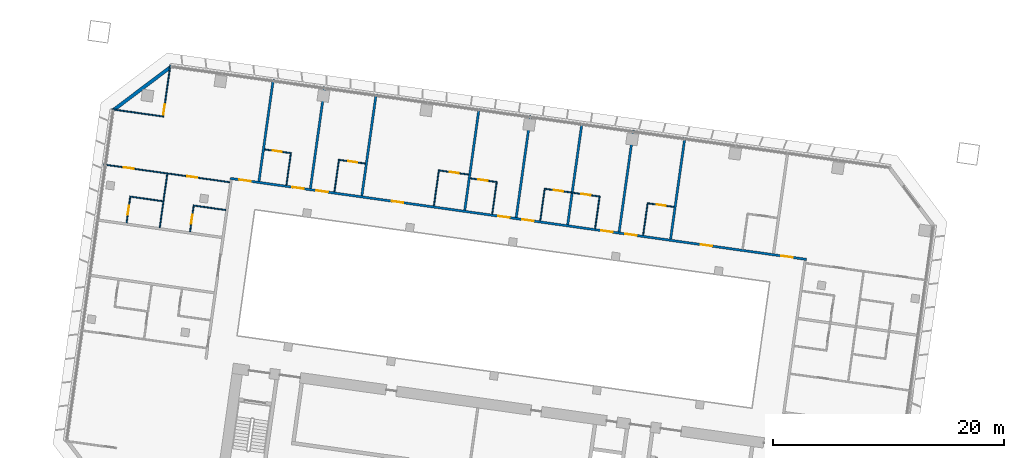
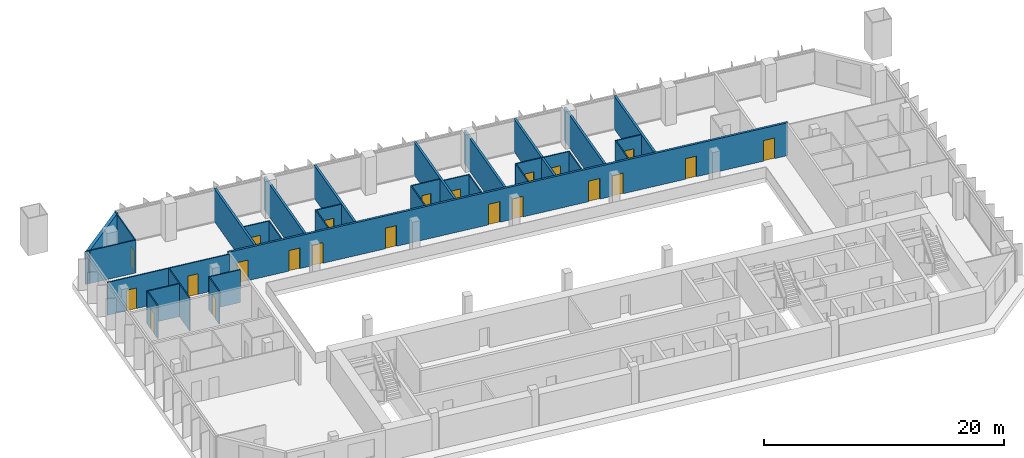
# One storey, part 16 of 24: 31 walls, 22 doors, 22 openings.
"""IFC4 building model written with IfcOpenShell, lengths in metres."""

from ifc_helpers import new_model, si_unit, direction, frame, frame_2d, origin, place, context, subcontext, project, spatial, rectangle, extrude, material, layer, layer_set, type_object, element, fill, save


model = new_model("IFC4")

# Units and contexts
model_context = context("Model", 3, precision=1e-05, world=origin(), true_north=direction((0.0, 1.0)))
body_context = subcontext(model_context, "Body", "Model", "MODEL_VIEW")
ifc_project = project(units=[si_unit("LENGTHUNIT", "METRE"), si_unit("AREAUNIT", "SQUARE_METRE"), si_unit("VOLUMEUNIT", "CUBIC_METRE"), si_unit("PLANEANGLEUNIT", "RADIAN"), si_unit("MASSUNIT", "GRAM", prefix="KILO")], contexts=[model_context])

# Site, building, storey
site_placement = place(None, origin())
site = spatial("IfcSite", under=ifc_project, at=site_placement, CompositionType="ELEMENT")
building_placement = place(site_placement, origin())
building = spatial("IfcBuilding", under=site, at=building_placement, Name="Mirante Cascada Hotel Towers", CompositionType="ELEMENT")
storey_placement = place(building_placement, frame((0.0, 0.0, 50.9)))
storey = spatial("IfcBuildingStorey", under=building, at=storey_placement, Name="L09", CompositionType="ELEMENT", Elevation=50.9)

# Wall, openings, doors
ifc_material_1 = material(Name="Fire-rated plasterboard on metal studs")
ifc_layer_1 = layer(ifc_material_1, 0.2)
ifc_layer_set_1 = layer_set([ifc_layer_1], Name="Compartment wall 200 EI 120")
wall_type_1 = type_object("IfcWallType", Name="Compartment wall 200 EI 120", PredefinedType="PARTITIONING", material=ifc_layer_set_1)
wall_1_placement = place(storey_placement, frame((-89.0146, 16.3922, 0.0), z_axis=(0.0, 0.0, 1.0), x_axis=(0.9902681, -0.1391727, 0.0)))
wall_1 = element("IfcWall", 1, at=wall_1_placement, inside=storey, type_object=wall_type_1, Name="Wall 1-L09-19", PredefinedType="PARTITIONING", context=body_context, shape_type="SweptSolid", body=[
    extrude(rectangle(XDim=50.4, YDim=0.2, at=frame_2d((25.2, 0.0))), origin(), (0.0, 0.0, 1.0), 3.35),
])
opening_1_placement = place(wall_1_placement, frame((48.2, 0.0, 0.0)))
opening_1 = element("IfcOpeningElement", 2, at=opening_1_placement, cuts=wall_1, Name="Opening D1-L09-12", PredefinedType="OPENING", context=body_context, shape_type="SweptSolid", body=[
    extrude(rectangle(XDim=1.0, YDim=2.1, at=frame_2d((0.5, 1.05))), frame((0.0, 0.1, 0.0), z_axis=(0.0, -1.0, 0.0), x_axis=(1.0, 0.0, 0.0)), (0.0, 0.0, 1.0), 0.2),
])
opening_2_placement = place(wall_1_placement, frame((41.15, 0.0, 0.0)))
opening_2 = element("IfcOpeningElement", 3, at=opening_2_placement, cuts=wall_1, Name="Opening D1-L09-13", PredefinedType="OPENING", context=body_context, shape_type="SweptSolid", body=[
    extrude(rectangle(XDim=1.0, YDim=2.1, at=frame_2d((0.5, 1.05))), frame((0.0, 0.1, 0.0), z_axis=(0.0, -1.0, 0.0), x_axis=(1.0, 0.0, 0.0)), (0.0, 0.0, 1.0), 0.2),
])
opening_3_placement = place(wall_1_placement, frame((34.55, 0.0, 0.0)))
opening_3 = element("IfcOpeningElement", 4, at=opening_3_placement, cuts=wall_1, Name="Opening D1-L09-14", PredefinedType="OPENING", context=body_context, shape_type="SweptSolid", body=[
    extrude(rectangle(XDim=1.0, YDim=2.1, at=frame_2d((0.5, 1.05))), frame((0.0, 0.1, 0.0), z_axis=(0.0, -1.0, 0.0), x_axis=(1.0, 0.0, 0.0)), (0.0, 0.0, 1.0), 0.2),
])
opening_4_placement = place(wall_1_placement, frame((32.45, 0.0, 0.0)))
opening_4 = element("IfcOpeningElement", 5, at=opening_4_placement, cuts=wall_1, Name="Opening D1-L09-15", PredefinedType="OPENING", context=body_context, shape_type="SweptSolid", body=[
    extrude(rectangle(XDim=1.0, YDim=2.1, at=frame_2d((0.5, 1.05))), frame((0.0, 0.1, 0.0), z_axis=(0.0, -1.0, 0.0), x_axis=(1.0, 0.0, 0.0)), (0.0, 0.0, 1.0), 0.2),
])
opening_5_placement = place(wall_1_placement, frame((25.55, 0.0, 0.0)))
opening_5 = element("IfcOpeningElement", 6, at=opening_5_placement, cuts=wall_1, Name="Opening D1-L09-16", PredefinedType="OPENING", context=body_context, shape_type="SweptSolid", body=[
    extrude(rectangle(XDim=1.0, YDim=2.1, at=frame_2d((0.5, 1.05))), frame((0.0, 0.1, 0.0), z_axis=(0.0, -1.0, 0.0), x_axis=(1.0, 0.0, 0.0)), (0.0, 0.0, 1.0), 0.2),
])
opening_6_placement = place(wall_1_placement, frame((23.45, 0.0, 0.0)))
opening_6 = element("IfcOpeningElement", 7, at=opening_6_placement, cuts=wall_1, Name="Opening D1-L09-17", PredefinedType="OPENING", context=body_context, shape_type="SweptSolid", body=[
    extrude(rectangle(XDim=1.0, YDim=2.1, at=frame_2d((0.5, 1.05))), frame((0.0, 0.1, 0.0), z_axis=(0.0, -1.0, 0.0), x_axis=(1.0, 0.0, 0.0)), (0.0, 0.0, 1.0), 0.2),
])
opening_7_placement = place(wall_1_placement, frame((14.15, 0.0, 0.0)))
opening_7 = element("IfcOpeningElement", 8, at=opening_7_placement, cuts=wall_1, Name="Opening D1-L09-18", PredefinedType="OPENING", context=body_context, shape_type="SweptSolid", body=[
    extrude(rectangle(XDim=1.0, YDim=2.1, at=frame_2d((0.5, 1.05))), frame((0.0, 0.1, 0.0), z_axis=(0.0, -1.0, 0.0), x_axis=(1.0, 0.0, 0.0)), (0.0, 0.0, 1.0), 0.2),
])
opening_8_placement = place(wall_1_placement, frame((7.55, 0.0, 0.0)))
opening_8 = element("IfcOpeningElement", 9, at=opening_8_placement, cuts=wall_1, Name="Opening D1-L09-19", PredefinedType="OPENING", context=body_context, shape_type="SweptSolid", body=[
    extrude(rectangle(XDim=1.0, YDim=2.1, at=frame_2d((0.5, 1.05))), frame((0.0, 0.1, 0.0), z_axis=(0.0, -1.0, 0.0), x_axis=(1.0, 0.0, 0.0)), (0.0, 0.0, 1.0), 0.2),
])
opening_9_placement = place(wall_1_placement, frame((5.45, 0.0, 0.0)))
opening_9 = element("IfcOpeningElement", 10, at=opening_9_placement, cuts=wall_1, Name="Opening D1-L09-20", PredefinedType="OPENING", context=body_context, shape_type="SweptSolid", body=[
    extrude(rectangle(XDim=1.0, YDim=2.1, at=frame_2d((0.5, 1.05))), frame((0.0, 0.1, 0.0), z_axis=(0.0, -1.0, 0.0), x_axis=(1.0, 0.0, 0.0)), (0.0, 0.0, 1.0), 0.2),
])
opening_10_placement = place(wall_1_placement, frame((0.8, 0.0, 0.0)))
opening_10 = element("IfcOpeningElement", 11, at=opening_10_placement, cuts=wall_1, Name="Opening D1-L09-21", PredefinedType="OPENING", context=body_context, shape_type="SweptSolid", body=[
    extrude(rectangle(XDim=1.0, YDim=2.1, at=frame_2d((0.5, 1.05))), frame((0.0, 0.1, 0.0), z_axis=(0.0, -1.0, 0.0), x_axis=(1.0, 0.0, 0.0)), (0.0, 0.0, 1.0), 0.2),
])
ifc_material_2 = material(Name="Fire-rated timber door leaf", Category="wood")
door_type_1 = type_object("IfcDoorType", Name="Entrance door DG1 1000x2100 EI 60", OperationType="SINGLE_SWING_LEFT", PredefinedType="DOOR", material=ifc_material_2)
door_1_placement = place(opening_1_placement, origin())
door_1 = element("IfcDoor", 12, at=door_1_placement, inside=storey, type_object=door_type_1, Name="Door D1-L09-12", OperationType="SINGLE_SWING_LEFT", OverallHeight=2.1, OverallWidth=1.0, PredefinedType="DOOR", context=body_context, shape_type="SweptSolid", body=[
    extrude(rectangle(XDim=1.0, YDim=2.1, at=frame_2d((0.5, 1.05))), frame((0.0, 0.025, 0.0), z_axis=(0.0, -1.0, 0.0), x_axis=(1.0, 0.0, 0.0)), (0.0, 0.0, 1.0), 0.05),
])
fill(opening_1, door_1)
door_2_placement = place(opening_2_placement, origin())
door_2 = element("IfcDoor", 13, at=door_2_placement, inside=storey, type_object=door_type_1, Name="Door D1-L09-13", OperationType="SINGLE_SWING_LEFT", OverallHeight=2.1, OverallWidth=1.0, PredefinedType="DOOR", context=body_context, shape_type="SweptSolid", body=[
    extrude(rectangle(XDim=1.0, YDim=2.1, at=frame_2d((0.5, 1.05))), frame((0.0, 0.025, 0.0), z_axis=(0.0, -1.0, 0.0), x_axis=(1.0, 0.0, 0.0)), (0.0, 0.0, 1.0), 0.05),
])
fill(opening_2, door_2)
door_3_placement = place(opening_3_placement, origin())
door_3 = element("IfcDoor", 14, at=door_3_placement, inside=storey, type_object=door_type_1, Name="Door D1-L09-14", OperationType="SINGLE_SWING_LEFT", OverallHeight=2.1, OverallWidth=1.0, PredefinedType="DOOR", context=body_context, shape_type="SweptSolid", body=[
    extrude(rectangle(XDim=1.0, YDim=2.1, at=frame_2d((0.5, 1.05))), frame((0.0, 0.025, 0.0), z_axis=(0.0, -1.0, 0.0), x_axis=(1.0, 0.0, 0.0)), (0.0, 0.0, 1.0), 0.05),
])
fill(opening_3, door_3)
door_4_placement = place(opening_4_placement, origin())
door_4 = element("IfcDoor", 15, at=door_4_placement, inside=storey, type_object=door_type_1, Name="Door D1-L09-15", OperationType="SINGLE_SWING_LEFT", OverallHeight=2.1, OverallWidth=1.0, PredefinedType="DOOR", context=body_context, shape_type="SweptSolid", body=[
    extrude(rectangle(XDim=1.0, YDim=2.1, at=frame_2d((0.5, 1.05))), frame((0.0, 0.025, 0.0), z_axis=(0.0, -1.0, 0.0), x_axis=(1.0, 0.0, 0.0)), (0.0, 0.0, 1.0), 0.05),
])
fill(opening_4, door_4)
door_5_placement = place(opening_5_placement, origin())
door_5 = element("IfcDoor", 16, at=door_5_placement, inside=storey, type_object=door_type_1, Name="Door D1-L09-16", OperationType="SINGLE_SWING_LEFT", OverallHeight=2.1, OverallWidth=1.0, PredefinedType="DOOR", context=body_context, shape_type="SweptSolid", body=[
    extrude(rectangle(XDim=1.0, YDim=2.1, at=frame_2d((0.5, 1.05))), frame((0.0, 0.025, 0.0), z_axis=(0.0, -1.0, 0.0), x_axis=(1.0, 0.0, 0.0)), (0.0, 0.0, 1.0), 0.05),
])
fill(opening_5, door_5)
door_6_placement = place(opening_6_placement, origin())
door_6 = element("IfcDoor", 17, at=door_6_placement, inside=storey, type_object=door_type_1, Name="Door D1-L09-17", OperationType="SINGLE_SWING_LEFT", OverallHeight=2.1, OverallWidth=1.0, PredefinedType="DOOR", context=body_context, shape_type="SweptSolid", body=[
    extrude(rectangle(XDim=1.0, YDim=2.1, at=frame_2d((0.5, 1.05))), frame((0.0, 0.025, 0.0), z_axis=(0.0, -1.0, 0.0), x_axis=(1.0, 0.0, 0.0)), (0.0, 0.0, 1.0), 0.05),
])
fill(opening_6, door_6)
door_7_placement = place(opening_7_placement, origin())
door_7 = element("IfcDoor", 18, at=door_7_placement, inside=storey, type_object=door_type_1, Name="Door D1-L09-18", OperationType="SINGLE_SWING_LEFT", OverallHeight=2.1, OverallWidth=1.0, PredefinedType="DOOR", context=body_context, shape_type="SweptSolid", body=[
    extrude(rectangle(XDim=1.0, YDim=2.1, at=frame_2d((0.5, 1.05))), frame((0.0, 0.025, 0.0), z_axis=(0.0, -1.0, 0.0), x_axis=(1.0, 0.0, 0.0)), (0.0, 0.0, 1.0), 0.05),
])
fill(opening_7, door_7)
door_8_placement = place(opening_8_placement, origin())
door_8 = element("IfcDoor", 19, at=door_8_placement, inside=storey, type_object=door_type_1, Name="Door D1-L09-19", OperationType="SINGLE_SWING_LEFT", OverallHeight=2.1, OverallWidth=1.0, PredefinedType="DOOR", context=body_context, shape_type="SweptSolid", body=[
    extrude(rectangle(XDim=1.0, YDim=2.1, at=frame_2d((0.5, 1.05))), frame((0.0, 0.025, 0.0), z_axis=(0.0, -1.0, 0.0), x_axis=(1.0, 0.0, 0.0)), (0.0, 0.0, 1.0), 0.05),
])
fill(opening_8, door_8)
door_9_placement = place(opening_9_placement, origin())
door_9 = element("IfcDoor", 20, at=door_9_placement, inside=storey, type_object=door_type_1, Name="Door D1-L09-20", OperationType="SINGLE_SWING_LEFT", OverallHeight=2.1, OverallWidth=1.0, PredefinedType="DOOR", context=body_context, shape_type="SweptSolid", body=[
    extrude(rectangle(XDim=1.0, YDim=2.1, at=frame_2d((0.5, 1.05))), frame((0.0, 0.025, 0.0), z_axis=(0.0, -1.0, 0.0), x_axis=(1.0, 0.0, 0.0)), (0.0, 0.0, 1.0), 0.05),
])
fill(opening_9, door_9)
door_10_placement = place(opening_10_placement, origin())
door_10 = element("IfcDoor", 21, at=door_10_placement, inside=storey, type_object=door_type_1, Name="Door D1-L09-21", OperationType="SINGLE_SWING_LEFT", OverallHeight=2.1, OverallWidth=1.0, PredefinedType="DOOR", context=body_context, shape_type="SweptSolid", body=[
    extrude(rectangle(XDim=1.0, YDim=2.1, at=frame_2d((0.5, 1.05))), frame((0.0, 0.025, 0.0), z_axis=(0.0, -1.0, 0.0), x_axis=(1.0, 0.0, 0.0)), (0.0, 0.0, 1.0), 0.05),
])
fill(opening_10, door_10)

# Walls
for number, where, z_axis, x_axis, name in (
    (22, (-49.6367, 19.9465, 0.0), (0.0, 0.0, 1.0), (-0.1391794, -0.9902672, 0.0), "Wall 1-L09-35"),
    (23, (-54.0929, 20.5728, 0.0), (0.0, 0.0, 1.0), (-0.1391794, -0.9902672, 0.0), "Wall 1-L09-37"),
):
    element("IfcWall", number, at=place(storey_placement, frame(where, z_axis=z_axis, x_axis=x_axis)), inside=storey, type_object=wall_type_1, Name=name, PredefinedType="PARTITIONING", context=body_context, shape_type="SweptSolid", body=[
        extrude(rectangle(XDim=8.9, YDim=0.2, at=frame_2d((4.45, 0.0))), origin(), (0.0, 0.0, 1.0), 3.35),
    ])
wall_2_placement = place(storey_placement, frame((-58.5492, 21.199, 0.0), z_axis=(0.0, 0.0, 1.0), x_axis=(-0.13917, -0.9902685, 0.0)))
element("IfcWall", 24, at=wall_2_placement, inside=storey, type_object=wall_type_1, Name="Wall 1-L09-39", PredefinedType="PARTITIONING", context=body_context, shape_type="SweptSolid", body=[
    extrude(rectangle(XDim=8.8999, YDim=0.2, at=frame_2d((4.45, 0.0))), origin(), (0.0, 0.0, 1.0), 3.35),
])
for number, where, z_axis, x_axis, name in (
    (25, (-63.0054, 21.8253, 0.0), (0.0, 0.0, 1.0), (-0.1391684, -0.9902687, 0.0), "Wall 1-L09-41"),
    (26, (-67.4616, 22.4516, 0.0), (0.0, 0.0, 1.0), (-0.1391684, -0.9902687, 0.0), "Wall 1-L09-43"),
    (27, (-76.374, 23.7042, 0.0), (0.0, 0.0, 1.0), (-0.1391684, -0.9902687, 0.0), "Wall 1-L09-45"),
):
    element("IfcWall", number, at=place(storey_placement, frame(where, z_axis=z_axis, x_axis=x_axis)), inside=storey, type_object=wall_type_1, Name=name, PredefinedType="PARTITIONING", context=body_context, shape_type="SweptSolid", body=[
        extrude(rectangle(XDim=8.9, YDim=0.2, at=frame_2d((4.45, 0.0))), origin(), (0.0, 0.0, 1.0), 3.35),
    ])
wall_3_placement = place(storey_placement, frame((-80.8302, 24.3304, 0.0), z_axis=(0.0, 0.0, 1.0), x_axis=(-0.13917, -0.9902685, 0.0)))
element("IfcWall", 28, at=wall_3_placement, inside=storey, type_object=wall_type_1, Name="Wall 1-L09-47", PredefinedType="PARTITIONING", context=body_context, shape_type="SweptSolid", body=[
    extrude(rectangle(XDim=8.8999, YDim=0.2, at=frame_2d((4.45, 0.0))), origin(), (0.0, 0.0, 1.0), 3.35),
])
wall_4_placement = place(storey_placement, frame((-85.2864, 24.9567, 0.0), z_axis=(0.0, 0.0, 1.0), x_axis=(-0.1391684, -0.9902687, 0.0)))
element("IfcWall", 29, at=wall_4_placement, inside=storey, type_object=wall_type_1, Name="Wall 1-L09-49", PredefinedType="PARTITIONING", context=body_context, shape_type="SweptSolid", body=[
    extrude(rectangle(XDim=8.9, YDim=0.2, at=frame_2d((4.45, 0.0))), origin(), (0.0, 0.0, 1.0), 3.35),
])
ifc_material_3 = material(Name="Plasterboard on metal studs")
ifc_layer_2 = layer(ifc_material_3, 0.1)
ifc_layer_set_2 = layer_set([ifc_layer_2], Name="Partition 100")
wall_type_2 = type_object("IfcWallType", Name="Partition 100", PredefinedType="PARTITIONING", material=ifc_layer_set_2)
wall_5_placement = place(storey_placement, frame((-92.2219, 14.0491, 0.0), z_axis=(0.0, 0.0, 1.0), x_axis=(0.9902697, -0.1391613, 0.0)))
element("IfcWall", 30, at=wall_5_placement, inside=storey, type_object=wall_type_2, Name="Wall 1-L09-15", PredefinedType="PARTITIONING", context=body_context, shape_type="SweptSolid", body=[
    extrude(rectangle(XDim=2.8499, YDim=0.1, at=frame_2d((1.425, 0.0))), origin(), (0.0, 0.0, 1.0), 3.35),
])
wall_6_placement = place(storey_placement, frame((-94.8461, 14.4179, 0.0), z_axis=(0.0, 0.0, 1.0), x_axis=(-0.9902683, 0.1391714, 0.0)))
element("IfcWall", 31, at=wall_6_placement, inside=storey, type_object=wall_type_2, Name="Wall 1-L09-16", PredefinedType="PARTITIONING", context=body_context, shape_type="SweptSolid", body=[
    extrude(rectangle(XDim=2.9, YDim=0.1, at=frame_2d((1.45, 0.0))), origin(), (0.0, 0.0, 1.0), 3.35),
])

# Wall, openings, doors
wall_7_placement = place(storey_placement, frame((-89.061, 16.0622, 0.0), z_axis=(0.0, 0.0, 1.0), x_axis=(-0.9902682, 0.1391721, 0.0)))
wall_7 = element("IfcWall", 32, at=wall_7_placement, inside=storey, type_object=wall_type_2, Name="Wall 1-L09-18", PredefinedType="PARTITIONING", context=body_context, shape_type="SweptSolid", body=[
    extrude(rectangle(XDim=11.0001, YDim=0.1, at=frame_2d((5.5, 0.0))), origin(), (0.0, 0.0, 1.0), 3.35),
])
opening_11_placement = place(wall_7_placement, frame((2.825, 0.0, 0.0)))
opening_11 = element("IfcOpeningElement", 33, at=opening_11_placement, cuts=wall_7, Name="Opening D1-L09-10", PredefinedType="OPENING", context=body_context, shape_type="SweptSolid", body=[
    extrude(rectangle(XDim=0.9, YDim=2.1, at=frame_2d((0.45, 1.05))), frame((0.0, 0.05, 0.0), z_axis=(0.0, -1.0, 0.0), x_axis=(1.0, 0.0, 0.0)), (0.0, 0.0, 1.0), 0.1),
])
opening_12_placement = place(wall_7_placement, frame((8.375, 0.0, 0.0)))
opening_12 = element("IfcOpeningElement", 34, at=opening_12_placement, cuts=wall_7, Name="Opening D1-L09-11", PredefinedType="OPENING", context=body_context, shape_type="SweptSolid", body=[
    extrude(rectangle(XDim=0.9, YDim=2.1, at=frame_2d((0.45, 1.05))), frame((0.0, 0.05, 0.0), z_axis=(0.0, -1.0, 0.0), x_axis=(1.0, 0.0, 0.0)), (0.0, 0.0, 1.0), 0.1),
])
ifc_material_4 = material(Name="Timber door leaf", Category="wood")
door_type_2 = type_object("IfcDoorType", Name="Room door DG3 900x2100", OperationType="SINGLE_SWING_LEFT", PredefinedType="DOOR", material=ifc_material_4)
door_11_placement = place(opening_11_placement, frame((0.9, 0.0, 0.0), z_axis=(0.0, 0.0, 1.0), x_axis=(-1.0, 0.0, 0.0)))
door_11 = element("IfcDoor", 35, at=door_11_placement, inside=storey, type_object=door_type_2, Name="Door D1-L09-10", OperationType="SINGLE_SWING_RIGHT", OverallHeight=2.1, OverallWidth=0.9, PredefinedType="DOOR", context=body_context, shape_type="SweptSolid", body=[
    extrude(rectangle(XDim=0.9, YDim=2.1, at=frame_2d((0.45, 1.05))), frame((0.0, 0.025, 0.0), z_axis=(0.0, -1.0, 0.0), x_axis=(1.0, 0.0, 0.0)), (0.0, 0.0, 1.0), 0.05),
])
fill(opening_11, door_11)
door_12_placement = place(opening_12_placement, frame((0.9, 0.0, 0.0), z_axis=(0.0, 0.0, 1.0), x_axis=(-1.0, 0.0, 0.0)))
door_12 = element("IfcDoor", 36, at=door_12_placement, inside=storey, type_object=door_type_2, Name="Door D1-L09-11", OperationType="SINGLE_SWING_RIGHT", OverallHeight=2.1, OverallWidth=0.9, PredefinedType="DOOR", context=body_context, shape_type="SweptSolid", body=[
    extrude(rectangle(XDim=0.9, YDim=2.1, at=frame_2d((0.45, 1.05))), frame((0.0, 0.025, 0.0), z_axis=(0.0, -1.0, 0.0), x_axis=(1.0, 0.0, 0.0)), (0.0, 0.0, 1.0), 0.05),
])
fill(opening_12, door_12)

# Wall, opening, door
wall_8_placement = place(storey_placement, frame((-50.5847, 13.9198, 0.0), z_axis=(0.0, 0.0, 1.0), x_axis=(-0.9902705, 0.1391561, 0.0)))
wall_8 = element("IfcWall", 37, at=wall_8_placement, inside=storey, type_object=wall_type_2, Name="Wall 1-L09-20", PredefinedType="PARTITIONING", context=body_context, shape_type="SweptSolid", body=[
    extrude(rectangle(XDim=2.25, YDim=0.1, at=frame_2d((1.125, 0.0))), origin(), (0.0, 0.0, 1.0), 3.35),
])
opening_13_placement = place(wall_8_placement, frame((0.7, 0.0, 0.0)))
opening_13 = element("IfcOpeningElement", 38, at=opening_13_placement, cuts=wall_8, Name="Opening D1-L09-22", PredefinedType="OPENING", context=body_context, shape_type="SweptSolid", body=[
    extrude(rectangle(XDim=0.8, YDim=2.1, at=frame_2d((0.4, 1.05))), frame((0.0, 0.05, 0.0), z_axis=(0.0, -1.0, 0.0), x_axis=(1.0, 0.0, 0.0)), (0.0, 0.0, 1.0), 0.1),
])
ifc_material_5 = material(Name="Timber door leaf", Category="wood")
door_type_3 = type_object("IfcDoorType", Name="Bathroom door DG4 800x2100", OperationType="SINGLE_SWING_LEFT", PredefinedType="DOOR", material=ifc_material_5)
door_13_placement = place(opening_13_placement, frame((0.8, 0.0, 0.0), z_axis=(0.0, 0.0, 1.0), x_axis=(-1.0, 0.0, 0.0)))
door_13 = element("IfcDoor", 39, at=door_13_placement, inside=storey, type_object=door_type_3, Name="Door D1-L09-22", OperationType="SINGLE_SWING_RIGHT", OverallHeight=2.1, OverallWidth=0.8, PredefinedType="DOOR", context=body_context, shape_type="SweptSolid", body=[
    extrude(rectangle(XDim=0.8, YDim=2.1, at=frame_2d((0.4, 1.05))), frame((0.0, 0.025, 0.0), z_axis=(0.0, -1.0, 0.0), x_axis=(1.0, 0.0, 0.0)), (0.0, 0.0, 1.0), 0.05),
])
fill(opening_13, door_13)

# Wall, openings, doors
wall_9_placement = place(storey_placement, frame((-61.8243, 15.4994, 0.0), z_axis=(0.0, 0.0, 1.0), x_axis=(0.9902666, -0.1391838, 0.0)))
wall_9 = element("IfcWall", 40, at=wall_9_placement, inside=storey, type_object=wall_type_2, Name="Wall 1-L09-21", PredefinedType="PARTITIONING", context=body_context, shape_type="SweptSolid", body=[
    extrude(rectangle(XDim=4.9, YDim=0.1, at=frame_2d((2.45, 0.0))), origin(), (0.0, 0.0, 1.0), 3.35),
])
opening_14_placement = place(wall_9_placement, frame((3.25, 0.0, 0.0)))
opening_14 = element("IfcOpeningElement", 41, at=opening_14_placement, cuts=wall_9, Name="Opening D1-L09-23", PredefinedType="OPENING", context=body_context, shape_type="SweptSolid", body=[
    extrude(rectangle(XDim=0.8, YDim=2.1, at=frame_2d((0.4, 1.05))), frame((0.0, 0.05, 0.0), z_axis=(0.0, -1.0, 0.0), x_axis=(1.0, 0.0, 0.0)), (0.0, 0.0, 1.0), 0.1),
])
opening_15_placement = place(wall_9_placement, frame((0.85, 0.0, 0.0)))
opening_15 = element("IfcOpeningElement", 42, at=opening_15_placement, cuts=wall_9, Name="Opening D1-L09-24", PredefinedType="OPENING", context=body_context, shape_type="SweptSolid", body=[
    extrude(rectangle(XDim=0.8, YDim=2.1, at=frame_2d((0.4, 1.05))), frame((0.0, 0.05, 0.0), z_axis=(0.0, -1.0, 0.0), x_axis=(1.0, 0.0, 0.0)), (0.0, 0.0, 1.0), 0.1),
])
door_14_placement = place(opening_14_placement, origin())
door_14 = element("IfcDoor", 43, at=door_14_placement, inside=storey, type_object=door_type_3, Name="Door D1-L09-23", OperationType="SINGLE_SWING_LEFT", OverallHeight=2.1, OverallWidth=0.8, PredefinedType="DOOR", context=body_context, shape_type="SweptSolid", body=[
    extrude(rectangle(XDim=0.8, YDim=2.1, at=frame_2d((0.4, 1.05))), frame((0.0, 0.025, 0.0), z_axis=(0.0, -1.0, 0.0), x_axis=(1.0, 0.0, 0.0)), (0.0, 0.0, 1.0), 0.05),
])
fill(opening_14, door_14)
door_15_placement = place(opening_15_placement, origin())
door_15 = element("IfcDoor", 44, at=door_15_placement, inside=storey, type_object=door_type_3, Name="Door D1-L09-24", OperationType="SINGLE_SWING_LEFT", OverallHeight=2.1, OverallWidth=0.8, PredefinedType="DOOR", context=body_context, shape_type="SweptSolid", body=[
    extrude(rectangle(XDim=0.8, YDim=2.1, at=frame_2d((0.4, 1.05))), frame((0.0, 0.025, 0.0), z_axis=(0.0, -1.0, 0.0), x_axis=(1.0, 0.0, 0.0)), (0.0, 0.0, 1.0), 0.05),
])
fill(opening_15, door_15)

# Wall, opening, door
wall_10_placement = place(storey_placement, frame((-65.9834, 16.0839, 0.0), z_axis=(0.0, 0.0, 1.0), x_axis=(-0.9902643, 0.1391997, 0.0)))
wall_10 = element("IfcWall", 45, at=wall_10_placement, inside=storey, type_object=wall_type_2, Name="Wall 1-L09-22", PredefinedType="PARTITIONING", context=body_context, shape_type="SweptSolid", body=[
    extrude(rectangle(XDim=2.25, YDim=0.1, at=frame_2d((1.125, 0.0))), origin(), (0.0, 0.0, 1.0), 3.35),
])
opening_16_placement = place(wall_10_placement, frame((0.75, 0.0, 0.0)))
opening_16 = element("IfcOpeningElement", 46, at=opening_16_placement, cuts=wall_10, Name="Opening D1-L09-25", PredefinedType="OPENING", context=body_context, shape_type="SweptSolid", body=[
    extrude(rectangle(XDim=0.8, YDim=2.1, at=frame_2d((0.4, 1.05))), frame((0.0, 0.05, 0.0), z_axis=(0.0, -1.0, 0.0), x_axis=(1.0, 0.0, 0.0)), (0.0, 0.0, 1.0), 0.1),
])
door_16_placement = place(opening_16_placement, frame((0.8, 0.0, 0.0), z_axis=(0.0, 0.0, 1.0), x_axis=(-1.0, 0.0, 0.0)))
door_16 = element("IfcDoor", 47, at=door_16_placement, inside=storey, type_object=door_type_3, Name="Door D1-L09-25", OperationType="SINGLE_SWING_RIGHT", OverallHeight=2.1, OverallWidth=0.8, PredefinedType="DOOR", context=body_context, shape_type="SweptSolid", body=[
    extrude(rectangle(XDim=0.8, YDim=2.1, at=frame_2d((0.4, 1.05))), frame((0.0, 0.025, 0.0), z_axis=(0.0, -1.0, 0.0), x_axis=(1.0, 0.0, 0.0)), (0.0, 0.0, 1.0), 0.05),
])
fill(opening_16, door_16)

wall_11_placement = place(storey_placement, frame((-79.5501, 17.9906, 0.0), z_axis=(0.0, 0.0, 1.0), x_axis=(0.9902643, -0.1391997, 0.0)))
wall_11 = element("IfcWall", 48, at=wall_11_placement, inside=storey, type_object=wall_type_2, Name="Wall 1-L09-23", PredefinedType="PARTITIONING", context=body_context, shape_type="SweptSolid", body=[
    extrude(rectangle(XDim=2.25, YDim=0.1, at=frame_2d((1.125, 0.0))), origin(), (0.0, 0.0, 1.0), 3.35),
])
opening_17_placement = place(wall_11_placement, frame((0.75, 0.0, 0.0)))
opening_17 = element("IfcOpeningElement", 49, at=opening_17_placement, cuts=wall_11, Name="Opening D1-L09-26", PredefinedType="OPENING", context=body_context, shape_type="SweptSolid", body=[
    extrude(rectangle(XDim=0.8, YDim=2.1, at=frame_2d((0.4, 1.05))), frame((0.0, 0.05, 0.0), z_axis=(0.0, -1.0, 0.0), x_axis=(1.0, 0.0, 0.0)), (0.0, 0.0, 1.0), 0.1),
])
door_17_placement = place(opening_17_placement, origin())
door_17 = element("IfcDoor", 50, at=door_17_placement, inside=storey, type_object=door_type_3, Name="Door D1-L09-26", OperationType="SINGLE_SWING_LEFT", OverallHeight=2.1, OverallWidth=0.8, PredefinedType="DOOR", context=body_context, shape_type="SweptSolid", body=[
    extrude(rectangle(XDim=0.8, YDim=2.1, at=frame_2d((0.4, 1.05))), frame((0.0, 0.025, 0.0), z_axis=(0.0, -1.0, 0.0), x_axis=(1.0, 0.0, 0.0)), (0.0, 0.0, 1.0), 0.05),
])
fill(opening_17, door_17)

wall_12_placement = place(storey_placement, frame((-83.8082, 18.589, 0.0), z_axis=(0.0, 0.0, 1.0), x_axis=(-0.9902643, 0.1391997, 0.0)))
wall_12 = element("IfcWall", 51, at=wall_12_placement, inside=storey, type_object=wall_type_2, Name="Wall 1-L09-24", PredefinedType="PARTITIONING", context=body_context, shape_type="SweptSolid", body=[
    extrude(rectangle(XDim=2.25, YDim=0.1, at=frame_2d((1.125, 0.0))), origin(), (0.0, 0.0, 1.0), 3.35),
])
opening_18_placement = place(wall_12_placement, frame((0.75, 0.0, 0.0)))
opening_18 = element("IfcOpeningElement", 52, at=opening_18_placement, cuts=wall_12, Name="Opening D1-L09-27", PredefinedType="OPENING", context=body_context, shape_type="SweptSolid", body=[
    extrude(rectangle(XDim=0.8, YDim=2.1, at=frame_2d((0.4, 1.05))), frame((0.0, 0.05, 0.0), z_axis=(0.0, -1.0, 0.0), x_axis=(1.0, 0.0, 0.0)), (0.0, 0.0, 1.0), 0.1),
])
door_18_placement = place(opening_18_placement, frame((0.8, 0.0, 0.0), z_axis=(0.0, 0.0, 1.0), x_axis=(-1.0, 0.0, 0.0)))
door_18 = element("IfcDoor", 53, at=door_18_placement, inside=storey, type_object=door_type_3, Name="Door D1-L09-27", OperationType="SINGLE_SWING_RIGHT", OverallHeight=2.1, OverallWidth=0.8, PredefinedType="DOOR", context=body_context, shape_type="SweptSolid", body=[
    extrude(rectangle(XDim=0.8, YDim=2.1, at=frame_2d((0.4, 1.05))), frame((0.0, 0.025, 0.0), z_axis=(0.0, -1.0, 0.0), x_axis=(1.0, 0.0, 0.0)), (0.0, 0.0, 1.0), 0.05),
])
fill(opening_18, door_18)

wall_13_placement = place(storey_placement, frame((-68.3678, 16.722, 0.0), z_axis=(0.0, 0.0, 1.0), x_axis=(-0.9902677, 0.1391755, 0.0)))
wall_13 = element("IfcWall", 54, at=wall_13_placement, inside=storey, type_object=wall_type_2, Name="Wall 1-L09-26", PredefinedType="PARTITIONING", context=body_context, shape_type="SweptSolid", body=[
    extrude(rectangle(XDim=2.55, YDim=0.1, at=frame_2d((1.275, 0.0))), origin(), (0.0, 0.0, 1.0), 3.35),
])
opening_19_placement = place(wall_13_placement, frame((0.85, 0.0, 0.0)))
opening_19 = element("IfcOpeningElement", 55, at=opening_19_placement, cuts=wall_13, Name="Opening D1-L09-29", PredefinedType="OPENING", context=body_context, shape_type="SweptSolid", body=[
    extrude(rectangle(XDim=0.8, YDim=2.1, at=frame_2d((0.4, 1.05))), frame((0.0, 0.05, 0.0), z_axis=(0.0, -1.0, 0.0), x_axis=(1.0, 0.0, 0.0)), (0.0, 0.0, 1.0), 0.1),
])
door_19_placement = place(opening_19_placement, frame((0.8, 0.0, 0.0), z_axis=(0.0, 0.0, 1.0), x_axis=(-1.0, 0.0, 0.0)))
door_19 = element("IfcDoor", 56, at=door_19_placement, inside=storey, type_object=door_type_3, Name="Door D1-L09-29", OperationType="SINGLE_SWING_RIGHT", OverallHeight=2.1, OverallWidth=0.8, PredefinedType="DOOR", context=body_context, shape_type="SweptSolid", body=[
    extrude(rectangle(XDim=0.8, YDim=2.1, at=frame_2d((0.4, 1.05))), frame((0.0, 0.025, 0.0), z_axis=(0.0, -1.0, 0.0), x_axis=(1.0, 0.0, 0.0)), (0.0, 0.0, 1.0), 0.05),
])
fill(opening_19, door_19)

# Walls
wall_14_placement = place(storey_placement, frame((-99.2813, 22.3794, 0.0), z_axis=(0.0, 0.0, 1.0), x_axis=(0.9902661, -0.1391871, 0.0)))
element("IfcWall", 57, at=wall_14_placement, inside=storey, type_object=wall_type_2, Name="Wall 1-L09-27", PredefinedType="PARTITIONING", context=body_context, shape_type="SweptSolid", body=[
    extrude(rectangle(XDim=4.55, YDim=0.1, at=frame_2d((2.275, 0.0))), origin(), (0.0, 0.0, 1.0), 3.35),
])
wall_15_placement = place(storey_placement, frame((-53.252, 11.4671, 0.0), z_axis=(0.0, 0.0, 1.0), x_axis=(0.1391564, 0.9902704, 0.0)))
element("IfcWall", 58, at=wall_15_placement, inside=storey, type_object=wall_type_2, Name="Wall 1-L09-36", PredefinedType="PARTITIONING", context=body_context, shape_type="SweptSolid", body=[
    extrude(rectangle(XDim=2.85, YDim=0.1, at=frame_2d((1.425, 0.0))), origin(), (0.0, 0.0, 1.0), 3.35),
])
wall_16_placement = place(storey_placement, frame((-57.4112, 12.0516, 0.0), z_axis=(0.0, 0.0, 1.0), x_axis=(0.1391963, 0.9902648, 0.0)))
element("IfcWall", 59, at=wall_16_placement, inside=storey, type_object=wall_type_2, Name="Wall 1-L09-38", PredefinedType="PARTITIONING", context=body_context, shape_type="SweptSolid", body=[
    extrude(rectangle(XDim=2.7501, YDim=0.1, at=frame_2d((1.3751, 0.0))), origin(), (0.0, 0.0, 1.0), 3.35),
])
wall_17_placement = place(storey_placement, frame((-62.1644, 12.7197, 0.0), z_axis=(0.0, 0.0, 1.0), x_axis=(0.1391657, 0.9902691, 0.0)))
element("IfcWall", 60, at=wall_17_placement, inside=storey, type_object=wall_type_2, Name="Wall 1-L09-40", PredefinedType="PARTITIONING", context=body_context, shape_type="SweptSolid", body=[
    extrude(rectangle(XDim=2.75, YDim=0.1, at=frame_2d((1.375, 0.0))), origin(), (0.0, 0.0, 1.0), 3.35),
])
wall_18_placement = place(storey_placement, frame((-66.3236, 13.3042, 0.0), z_axis=(0.0, 0.0, 1.0), x_axis=(0.1391909, 0.9902656, 0.0)))
element("IfcWall", 61, at=wall_18_placement, inside=storey, type_object=wall_type_2, Name="Wall 1-L09-42", PredefinedType="PARTITIONING", context=body_context, shape_type="SweptSolid", body=[
    extrude(rectangle(XDim=2.85, YDim=0.1, at=frame_2d((1.425, 0.0))), origin(), (0.0, 0.0, 1.0), 3.35),
])
wall_19_placement = place(storey_placement, frame((-71.3739, 14.014, 0.0), z_axis=(0.0, 0.0, 1.0), x_axis=(0.1391765, 0.9902676, 0.0)))
element("IfcWall", 62, at=wall_19_placement, inside=storey, type_object=wall_type_2, Name="Wall 1-L09-44", PredefinedType="PARTITIONING", context=body_context, shape_type="SweptSolid", body=[
    extrude(rectangle(XDim=3.15, YDim=0.1, at=frame_2d((1.575, 0.0))), origin(), (0.0, 0.0, 1.0), 3.35),
])
for number, where, z_axis, x_axis, name in (
    (63, (-79.9893, 15.2248, 0.0), (0.0, 0.0, 1.0), (0.1391909, 0.9902656, 0.0), "Wall 1-L09-46"),
    (64, (-84.1484, 15.8093, 0.0), (0.0, 0.0, 1.0), (0.1391909, 0.9902656, 0.0), "Wall 1-L09-48"),
):
    element("IfcWall", number, at=place(storey_placement, frame(where, z_axis=z_axis, x_axis=x_axis)), inside=storey, type_object=wall_type_2, Name=name, PredefinedType="PARTITIONING", context=body_context, shape_type="SweptSolid", body=[
        extrude(rectangle(XDim=2.85, YDim=0.1, at=frame_2d((1.425, 0.0))), origin(), (0.0, 0.0, 1.0), 3.35),
    ])

# Wall, opening, door
wall_20_placement = place(storey_placement, frame((-92.4925, 11.7645, 0.0), z_axis=(0.0, 0.0, 1.0), x_axis=(0.1391561, 0.9902705, 0.0)))
wall_20 = element("IfcWall", 65, at=wall_20_placement, inside=storey, type_object=wall_type_2, Name="Wall 1-L09-52", PredefinedType="PARTITIONING", context=body_context, shape_type="SweptSolid", body=[
    extrude(rectangle(XDim=2.25, YDim=0.1, at=frame_2d((1.125, 0.0))), origin(), (0.0, 0.0, 1.0), 3.35),
])
opening_20_placement = place(wall_20_placement, frame((0.7, 0.0, 0.0)))
opening_20 = element("IfcOpeningElement", 66, at=opening_20_placement, cuts=wall_20, Name="Opening D1-L09-37", PredefinedType="OPENING", context=body_context, shape_type="SweptSolid", body=[
    extrude(rectangle(XDim=0.8, YDim=2.1, at=frame_2d((0.4, 1.05))), frame((0.0, 0.05, 0.0), z_axis=(0.0, -1.0, 0.0), x_axis=(1.0, 0.0, 0.0)), (0.0, 0.0, 1.0), 0.1),
])
door_20_placement = place(opening_20_placement, frame((0.8, 0.0, 0.0), z_axis=(0.0, 0.0, 1.0), x_axis=(-1.0, 0.0, 0.0)))
door_20 = element("IfcDoor", 67, at=door_20_placement, inside=storey, type_object=door_type_3, Name="Door D1-L09-37", OperationType="SINGLE_SWING_RIGHT", OverallHeight=2.1, OverallWidth=0.8, PredefinedType="DOOR", context=body_context, shape_type="SweptSolid", body=[
    extrude(rectangle(XDim=0.8, YDim=2.1, at=frame_2d((0.4, 1.05))), frame((0.0, 0.025, 0.0), z_axis=(0.0, -1.0, 0.0), x_axis=(1.0, 0.0, 0.0)), (0.0, 0.0, 1.0), 0.05),
])
fill(opening_20, door_20)

# Wall
wall_21_placement = place(storey_placement, frame((-95.1167, 12.1333, 0.0), z_axis=(0.0, 0.0, 1.0), x_axis=(0.1391701, 0.9902685, 0.0)))
element("IfcWall", 68, at=wall_21_placement, inside=storey, type_object=wall_type_2, Name="Wall 1-L09-54", PredefinedType="PARTITIONING", context=body_context, shape_type="SweptSolid", body=[
    extrude(rectangle(XDim=4.6835, YDim=0.1, at=frame_2d((2.3418, 0.0))), origin(), (0.0, 0.0, 1.0), 3.35),
])

# Wall, opening, door
wall_22_placement = place(storey_placement, frame((-94.1988, 26.2093, 0.0), z_axis=(0.0, 0.0, 1.0), x_axis=(-0.1391684, -0.9902687, 0.0)))
wall_22 = element("IfcWall", 69, at=wall_22_placement, inside=storey, type_object=wall_type_2, Name="Wall 1-L09-55", PredefinedType="PARTITIONING", context=body_context, shape_type="SweptSolid", body=[
    extrude(rectangle(XDim=4.45, YDim=0.1, at=frame_2d((2.225, 0.0))), origin(), (0.0, 0.0, 1.0), 3.35),
])
opening_21_placement = place(wall_22_placement, frame((3.45, 0.0, 0.0)))
opening_21 = element("IfcOpeningElement", 70, at=opening_21_placement, cuts=wall_22, Name="Opening D1-L09-39", PredefinedType="OPENING", context=body_context, shape_type="SweptSolid", body=[
    extrude(rectangle(XDim=0.9, YDim=2.1, at=frame_2d((0.45, 1.05))), frame((0.0, 0.05, 0.0), z_axis=(0.0, -1.0, 0.0), x_axis=(1.0, 0.0, 0.0)), (0.0, 0.0, 1.0), 0.1),
])
door_21_placement = place(opening_21_placement, origin())
door_21 = element("IfcDoor", 71, at=door_21_placement, inside=storey, type_object=door_type_2, Name="Door D1-L09-39", OperationType="SINGLE_SWING_LEFT", OverallHeight=2.1, OverallWidth=0.9, PredefinedType="DOOR", context=body_context, shape_type="SweptSolid", body=[
    extrude(rectangle(XDim=0.9, YDim=2.1, at=frame_2d((0.45, 1.05))), frame((0.0, 0.025, 0.0), z_axis=(0.0, -1.0, 0.0), x_axis=(1.0, 0.0, 0.0)), (0.0, 0.0, 1.0), 0.05),
])
fill(opening_21, door_21)

wall_23_placement = place(storey_placement, frame((-97.6754, 14.765, 0.0), z_axis=(0.0, 0.0, 1.0), x_axis=(-0.1391561, -0.9902705, 0.0)))
wall_23 = element("IfcWall", 72, at=wall_23_placement, inside=storey, type_object=wall_type_2, Name="Wall 1-L09-57", PredefinedType="PARTITIONING", context=body_context, shape_type="SweptSolid", body=[
    extrude(rectangle(XDim=2.25, YDim=0.1, at=frame_2d((1.125, 0.0))), origin(), (0.0, 0.0, 1.0), 3.35),
])
opening_22_placement = place(wall_23_placement, frame((0.75, 0.0, 0.0)))
opening_22 = element("IfcOpeningElement", 73, at=opening_22_placement, cuts=wall_23, Name="Opening D1-L09-41", PredefinedType="OPENING", context=body_context, shape_type="SweptSolid", body=[
    extrude(rectangle(XDim=0.8, YDim=2.1, at=frame_2d((0.4, 1.05))), frame((0.0, 0.05, 0.0), z_axis=(0.0, -1.0, 0.0), x_axis=(1.0, 0.0, 0.0)), (0.0, 0.0, 1.0), 0.1),
])
door_22_placement = place(opening_22_placement, origin())
door_22 = element("IfcDoor", 74, at=door_22_placement, inside=storey, type_object=door_type_3, Name="Door D1-L09-41", OperationType="SINGLE_SWING_LEFT", OverallHeight=2.1, OverallWidth=0.8, PredefinedType="DOOR", context=body_context, shape_type="SweptSolid", body=[
    extrude(rectangle(XDim=0.8, YDim=2.1, at=frame_2d((0.4, 1.05))), frame((0.0, 0.025, 0.0), z_axis=(0.0, -1.0, 0.0), x_axis=(1.0, 0.0, 0.0)), (0.0, 0.0, 1.0), 0.05),
])
fill(opening_22, door_22)

# Wall
ifc_material_6 = material(Name="Precast concrete C40/50", Category="concrete")
ifc_layer_3 = layer(ifc_material_6, 0.3)
ifc_layer_set_3 = layer_set([ifc_layer_3], Name="Precast concrete C40/50 cladding wall 300")
wall_type_3 = type_object("IfcWallType", Name="Precast concrete C40/50 cladding wall 300", PredefinedType="STANDARD", material=ifc_layer_set_3)
wall_24_placement = place(storey_placement, frame((-99.0919, 22.3343, 0.0), z_axis=(0.0, 0.0, 1.0), x_axis=(0.7986362, 0.6018141, 0.0)))
element("IfcWall", 75, at=wall_24_placement, inside=storey, type_object=wall_type_3, Name="Corner cladding wall T1 L09 outer front", PredefinedType="STANDARD", context=body_context, shape_type="SweptSolid", body=[
    extrude(rectangle(XDim=6.1157, YDim=0.3, at=frame_2d((3.0578, 0.0))), origin(), (0.0, 0.0, 1.0), 3.35),
])

save(model, "model.ifc")
